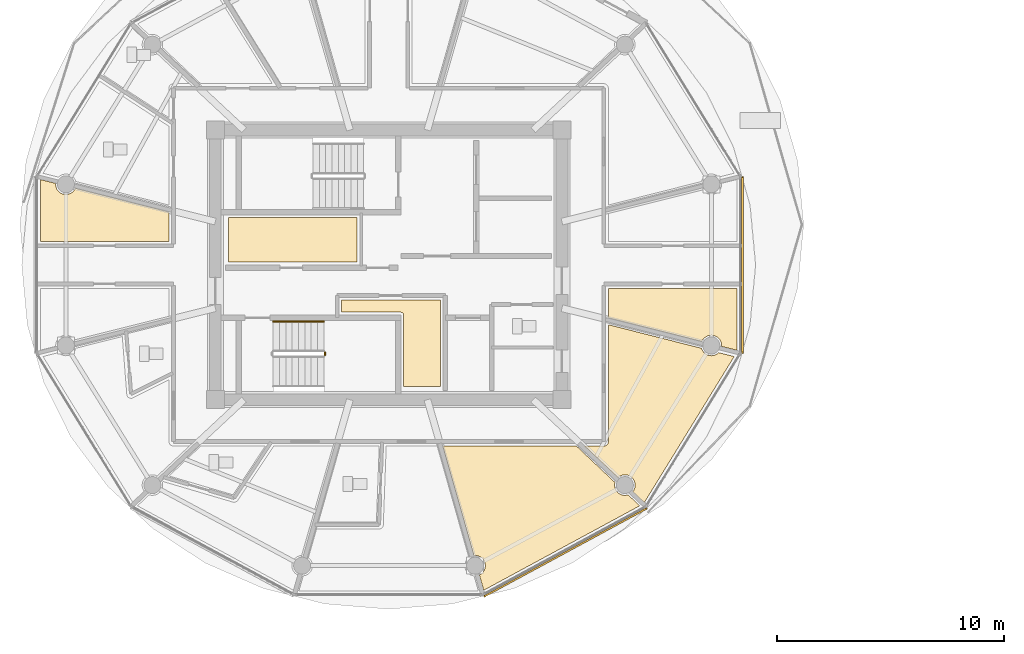
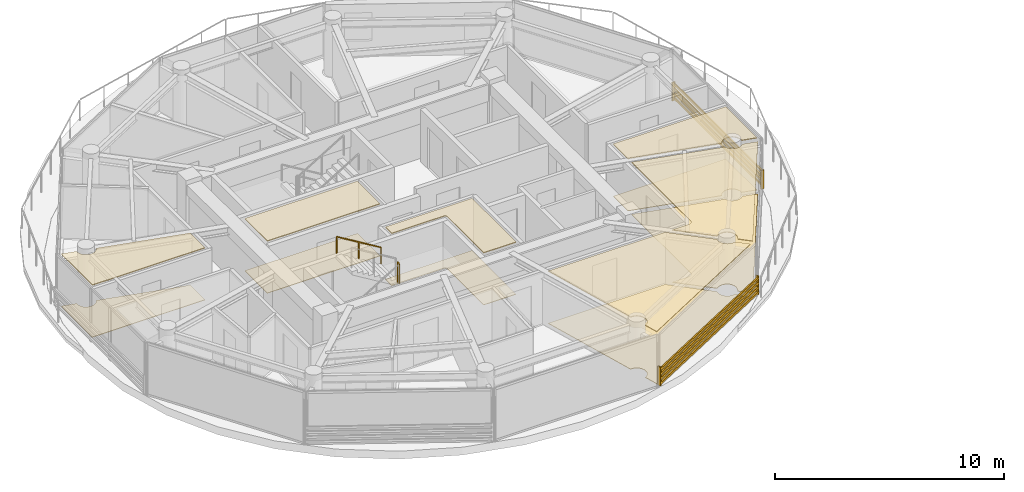
# One storey, part 18 of 28: 12 coverings, 2 railings, 2 shading devices.
"""IFC4 building model written with IfcOpenShell, lengths in metres."""

from ifc_helpers import new_model, si_unit, direction, frame, origin, origin_2d, place, context, subcontext, project, spatial, polyline, rectangle, outline, extrude, source, transform, mapped, material, layer, layer_set, type_object, type_shapes, element, save


model = new_model("IFC4")

# Units and contexts
model_context = context("Model", 3, precision=1e-05, world=origin(), true_north=direction((0.0, 1.0)))
body_context = subcontext(model_context, "Body", "Model", "MODEL_VIEW")
ifc_project = project(units=[si_unit("LENGTHUNIT", "METRE"), si_unit("AREAUNIT", "SQUARE_METRE"), si_unit("VOLUMEUNIT", "CUBIC_METRE"), si_unit("PLANEANGLEUNIT", "RADIAN"), si_unit("MASSUNIT", "GRAM", prefix="KILO")], contexts=[model_context])

# Site, building, storey
site_placement = place(None, origin())
site = spatial("IfcSite", under=ifc_project, at=site_placement, CompositionType="ELEMENT")
building_placement = place(site_placement, origin())
building = spatial("IfcBuilding", under=site, at=building_placement, Name="Norrkilde Senior Care Towers", CompositionType="ELEMENT")
storey_placement = place(building_placement, frame((0.0, 0.0, 190.64990234375)))
storey = spatial("IfcBuildingStorey", under=building, at=storey_placement, Name="L59", CompositionType="ELEMENT", Elevation=190.64990234375)

# Coverings
ifc_material_1 = material(Name="Nordic Ash Timber", Category="wood")
ifc_layer_1 = layer(ifc_material_1, 0.044921875)
ifc_layer_set_1 = layer_set([ifc_layer_1], Name="Nordic Ash Timber")
covering_type_1 = type_object("IfcCoveringType", Name="Acoustic Ash Timber Slatted Ceiling 45", PredefinedType="CEILING", material=ifc_layer_set_1)
covering_1_placement = place(storey_placement, frame((0.0, 0.0, 2.76513671875)))
element("IfcCovering", 1, at=covering_1_placement, inside=storey, type_object=covering_type_1, Name="L59 Suspended Ceiling 0333", PredefinedType="CEILING", context=body_context, shape_type="SweptSolid", body=[
    extrude(outline(polyline([(-29.39990234375, 0.1201171875), (-35.080078125, 0.1201171875), (-35.080078125, 2.090087890625), (-29.39990234375, 2.090087890625), (-29.39990234375, 0.1201171875)])), origin(), (0.0, 0.0, 1.0), 0.044921875),
])
covering_2_placement = place(storey_placement, frame((0.0, 0.0, 2.76513671875)))
element("IfcCovering", 2, at=covering_2_placement, inside=storey, type_object=covering_type_1, Name="L59 Suspended Ceiling 0334", PredefinedType="CEILING", context=body_context, shape_type="SweptSolid", body=[
    extrude(outline(polyline([(-27.34521484375, -2.175048828125), (-27.34912109375, -2.1640625), (-27.354248046875, -2.1533203125), (-27.360107421875, -2.143310546875), (-27.3671875, -2.1337890625), (-27.375244140625, -2.125244140625), (-27.3837890625, -2.1171875), (-27.393310546875, -2.110107421875), (-27.4033203125, -2.104248046875), (-27.4140625, -2.09912109375), (-27.425048828125, -2.09521484375), (-27.4365234375, -2.09228515625), (-27.4482421875, -2.090576171875), (-27.4599609375, -2.090087890625), (-30.080078125, -2.090087890625), (-30.080078125, -1.5400390625), (-25.7099609375, -1.5400390625), (-25.7099609375, -5.3798828125), (-27.340087890625, -5.3798828125), (-27.340087890625, -2.2099609375), (-27.340576171875, -2.1982421875), (-27.34228515625, -2.1865234375), (-27.34521484375, -2.175048828125)])), origin(), (0.0, 0.0, 1.0), 0.044921875),
])
covering_3_placement = place(storey_placement, frame((0.0, 0.0, 2.76513671875)))
element("IfcCovering", 3, at=covering_3_placement, inside=storey, type_object=covering_type_1, Name="L59 Suspended Ceiling 0336", PredefinedType="CEILING", context=body_context, shape_type="SweptSolid", body=[
    extrude(outline(polyline([(-37.699951171875, 1.0400390625), (-43.37353515625, 1.0400390625), (-43.37353515625, 3.76708984375), (-42.697509765625, 3.59619140625), (-42.702392578125, 3.558837890625), (-42.68701171875, 3.44091796875), (-42.641357421875, 3.331298828125), (-42.569091796875, 3.237060546875), (-42.474853515625, 3.164794921875), (-42.365234375, 3.119384765625), (-42.247314453125, 3.103759765625), (-42.129638671875, 3.119384765625), (-42.02001953125, 3.164794921875), (-41.92578125, 3.237060546875), (-41.853271484375, 3.331298828125), (-41.834228515625, 3.377685546875), (-37.699951171875, 2.331298828125), (-37.699951171875, 1.0400390625)])), origin(), (0.0, 0.0, 1.0), 0.044921875),
])
covering_4_placement = place(storey_placement, frame((0.0, 0.0, 2.76513671875)))
element("IfcCovering", 4, at=covering_4_placement, inside=storey, type_object=covering_type_1, Name="L59 Suspended Ceiling 0339", PredefinedType="CEILING", context=body_context, shape_type="SweptSolid", body=[
    extrude(outline(polyline([(-12.62646484375, -3.76708984375), (-13.302490234375, -3.59619140625), (-13.297607421875, -3.558837890625), (-13.31298828125, -3.44091796875), (-13.358642578125, -3.331298828125), (-13.430908203125, -3.237060546875), (-13.525146484375, -3.164794921875), (-13.634765625, -3.119384765625), (-13.752685546875, -3.103759765625), (-13.870361328125, -3.119384765625), (-13.97998046875, -3.164794921875), (-14.07421875, -3.237060546875), (-14.146728515625, -3.331298828125), (-14.165771484375, -3.377685546875), (-18.300048828125, -2.331298828125), (-18.300048828125, -1.0400390625), (-12.62646484375, -1.0400390625), (-12.62646484375, -3.76708984375)])), origin(), (0.0, 0.0, 1.0), 0.044921875),
])
covering_5_placement = place(storey_placement, frame((0.0, 0.0, 2.76513671875)))
element("IfcCovering", 5, at=covering_5_placement, inside=storey, type_object=covering_type_1, Name="L59 Suspended Ceiling 0352", PredefinedType="CEILING", context=body_context, shape_type="SweptSolid", body=[
    extrude(outline(polyline([(-23.80029296875, -14.364990234375), (-23.991455078125, -13.690673828125), (-23.954833984375, -13.675537109375), (-23.860595703125, -13.603271484375), (-23.788330078125, -13.509033203125), (-23.742919921875, -13.399169921875), (-23.7275390625, -13.281494140625), (-23.742919921875, -13.163818359375), (-23.788330078125, -13.053955078125), (-23.860595703125, -12.959716796875), (-23.954833984375, -12.887451171875), (-24.064697265625, -12.842041015625), (-24.182373046875, -12.826416015625), (-24.23486328125, -12.833251953125), (-25.60595703125, -8.0), (-19.705322265625, -8.0), (-18.0087890625, -9.6025390625), (-18.009765625, -9.60498046875), (-18.025146484375, -9.72265625), (-18.009765625, -9.840576171875), (-17.964111328125, -9.9501953125), (-17.891845703125, -10.04443359375), (-17.797607421875, -10.11669921875), (-17.68798828125, -10.162109375), (-17.570068359375, -10.177734375), (-17.452392578125, -10.162109375), (-17.42724609375, -10.15185546875), (-16.91357421875, -10.636962890625), (-23.80029296875, -14.364990234375)])), origin(), (0.0, 0.0, 1.0), 0.044921875),
])
covering_6_placement = place(storey_placement, frame((0.0, 0.0, 2.76513671875)))
element("IfcCovering", 6, at=covering_6_placement, inside=storey, type_object=covering_type_1, Name="L59 Suspended Ceiling 0353", PredefinedType="CEILING", context=body_context, shape_type="SweptSolid", body=[
    extrude(outline(polyline([(-18.447509765625, -7.992919921875), (-18.436279296875, -7.989501953125), (-18.428955078125, -7.98681640625), (-18.41796875, -7.982421875), (-18.410888671875, -7.97900390625), (-18.400634765625, -7.973388671875), (-18.393798828125, -7.969482421875), (-18.384033203125, -7.962890625), (-18.377685546875, -7.958251953125), (-18.36865234375, -7.95068359375), (-18.36279296875, -7.945556640625), (-18.3544921875, -7.937255859375), (-18.34912109375, -7.931396484375), (-18.341796875, -7.92236328125), (-18.337158203125, -7.916015625), (-18.33056640625, -7.90625), (-18.326416015625, -7.8994140625), (-18.321044921875, -7.888916015625), (-18.317626953125, -7.8818359375), (-18.31298828125, -7.87109375), (-18.310546875, -7.86376953125), (-18.30712890625, -7.852294921875), (-18.30517578125, -7.8447265625), (-18.302734375, -7.833251953125), (-18.3017578125, -7.825439453125), (-18.300537109375, -7.813720703125), (-18.300048828125, -7.805908203125), (-18.300048828125, -7.800048828125), (-18.300048828125, -2.640625), (-14.190185546875, -3.680908203125), (-14.146728515625, -3.786376953125), (-14.07421875, -3.880615234375), (-13.97998046875, -3.952880859375), (-13.870361328125, -3.998291015625), (-13.752685546875, -4.013671875), (-13.634765625, -3.998291015625), (-13.525146484375, -3.952880859375), (-13.430908203125, -3.880615234375), (-13.426025390625, -3.874267578125), (-12.74267578125, -4.04736328125), (-16.71337890625, -10.495849609375), (-17.224365234375, -10.01318359375), (-17.176025390625, -9.9501953125), (-17.130615234375, -9.840576171875), (-17.115234375, -9.72265625), (-17.130615234375, -9.60498046875), (-17.176025390625, -9.4951171875), (-17.24853515625, -9.40087890625), (-17.3427734375, -9.32861328125), (-17.452392578125, -9.283203125), (-17.570068359375, -9.267822265625), (-17.68798828125, -9.283203125), (-17.797607421875, -9.32861328125), (-17.88134765625, -9.392822265625), (-19.355712890625, -8.0), (-18.5, -8.0), (-18.494140625, -7.999755859375), (-18.486328125, -7.99951171875), (-18.474609375, -7.998291015625), (-18.466796875, -7.9970703125), (-18.455322265625, -7.994873046875), (-18.447509765625, -7.992919921875)])), origin(), (0.0, 0.0, 1.0), 0.044921875),
])
ifc_material_2 = material(Name="Slip-Resistant Porcelain Stone", Category="masonry")
ifc_layer_2 = layer(ifc_material_2, 0.02490234375)
ifc_layer_set_2 = layer_set([ifc_layer_2], Name="Slip-Resistant Porcelain Stone")
covering_type_2 = type_object("IfcCoveringType", Name="Slip-Resistant Porcelain Flooring 25", PredefinedType="FLOORING", material=ifc_layer_set_2)
covering_7_placement = place(storey_placement, origin())
element("IfcCovering", 7, at=covering_7_placement, inside=storey, type_object=covering_type_2, Name="L59 Floor Finish 0333", PredefinedType="FLOORING", context=body_context, shape_type="SweptSolid", body=[
    extrude(outline(polyline([(-29.39990234375, 0.1201171875), (-35.080078125, 0.1201171875), (-35.080078125, 2.090087890625), (-29.39990234375, 2.090087890625), (-29.39990234375, 0.1201171875)])), origin(), (0.0, 0.0, 1.0), 0.025146484375),
])
covering_8_placement = place(storey_placement, origin())
element("IfcCovering", 8, at=covering_8_placement, inside=storey, type_object=covering_type_2, Name="L59 Floor Finish 0334", PredefinedType="FLOORING", context=body_context, shape_type="SweptSolid", body=[
    extrude(outline(polyline([(-27.34521484375, -2.175048828125), (-27.34912109375, -2.1640625), (-27.354248046875, -2.1533203125), (-27.360107421875, -2.143310546875), (-27.3671875, -2.1337890625), (-27.375244140625, -2.125244140625), (-27.3837890625, -2.1171875), (-27.393310546875, -2.110107421875), (-27.4033203125, -2.104248046875), (-27.4140625, -2.09912109375), (-27.425048828125, -2.09521484375), (-27.4365234375, -2.09228515625), (-27.4482421875, -2.090576171875), (-27.4599609375, -2.090087890625), (-30.080078125, -2.090087890625), (-30.080078125, -1.5400390625), (-25.7099609375, -1.5400390625), (-25.7099609375, -5.3798828125), (-27.340087890625, -5.3798828125), (-27.340087890625, -2.2099609375), (-27.340576171875, -2.1982421875), (-27.34228515625, -2.1865234375), (-27.34521484375, -2.175048828125)])), origin(), (0.0, 0.0, 1.0), 0.025146484375),
])
covering_9_placement = place(storey_placement, origin())
element("IfcCovering", 9, at=covering_9_placement, inside=storey, type_object=covering_type_2, Name="L59 Floor Finish 0336", PredefinedType="FLOORING", context=body_context, shape_type="SweptSolid", body=[
    extrude(outline(polyline([(-37.699951171875, 1.0400390625), (-43.37353515625, 1.0400390625), (-43.37353515625, 3.76708984375), (-42.697509765625, 3.59619140625), (-42.702392578125, 3.558837890625), (-42.68701171875, 3.44091796875), (-42.641357421875, 3.331298828125), (-42.569091796875, 3.237060546875), (-42.474853515625, 3.164794921875), (-42.365234375, 3.119384765625), (-42.247314453125, 3.103759765625), (-42.129638671875, 3.119384765625), (-42.02001953125, 3.164794921875), (-41.92578125, 3.237060546875), (-41.853271484375, 3.331298828125), (-41.834228515625, 3.377685546875), (-37.699951171875, 2.331298828125), (-37.699951171875, 1.0400390625)])), origin(), (0.0, 0.0, 1.0), 0.025146484375),
])
covering_10_placement = place(storey_placement, origin())
element("IfcCovering", 10, at=covering_10_placement, inside=storey, type_object=covering_type_2, Name="L59 Floor Finish 0339", PredefinedType="FLOORING", context=body_context, shape_type="SweptSolid", body=[
    extrude(outline(polyline([(-12.62646484375, -3.76708984375), (-13.302490234375, -3.59619140625), (-13.297607421875, -3.558837890625), (-13.31298828125, -3.44091796875), (-13.358642578125, -3.331298828125), (-13.430908203125, -3.237060546875), (-13.525146484375, -3.164794921875), (-13.634765625, -3.119384765625), (-13.752685546875, -3.103759765625), (-13.870361328125, -3.119384765625), (-13.97998046875, -3.164794921875), (-14.07421875, -3.237060546875), (-14.146728515625, -3.331298828125), (-14.165771484375, -3.377685546875), (-18.300048828125, -2.331298828125), (-18.300048828125, -1.0400390625), (-12.62646484375, -1.0400390625), (-12.62646484375, -3.76708984375)])), origin(), (0.0, 0.0, 1.0), 0.025146484375),
])
covering_11_placement = place(storey_placement, origin())
element("IfcCovering", 11, at=covering_11_placement, inside=storey, type_object=covering_type_2, Name="L59 Floor Finish 0352", PredefinedType="FLOORING", context=body_context, shape_type="SweptSolid", body=[
    extrude(outline(polyline([(-23.80029296875, -14.364990234375), (-23.991455078125, -13.690673828125), (-23.954833984375, -13.675537109375), (-23.860595703125, -13.603271484375), (-23.788330078125, -13.509033203125), (-23.742919921875, -13.399169921875), (-23.7275390625, -13.281494140625), (-23.742919921875, -13.163818359375), (-23.788330078125, -13.053955078125), (-23.860595703125, -12.959716796875), (-23.954833984375, -12.887451171875), (-24.064697265625, -12.842041015625), (-24.182373046875, -12.826416015625), (-24.23486328125, -12.833251953125), (-25.60595703125, -8.0), (-19.705322265625, -8.0), (-18.0087890625, -9.6025390625), (-18.009765625, -9.60498046875), (-18.025146484375, -9.72265625), (-18.009765625, -9.840576171875), (-17.964111328125, -9.9501953125), (-17.891845703125, -10.04443359375), (-17.797607421875, -10.11669921875), (-17.68798828125, -10.162109375), (-17.570068359375, -10.177734375), (-17.452392578125, -10.162109375), (-17.42724609375, -10.15185546875), (-16.91357421875, -10.636962890625), (-23.80029296875, -14.364990234375)])), origin(), (0.0, 0.0, 1.0), 0.025146484375),
])
covering_12_placement = place(storey_placement, origin())
element("IfcCovering", 12, at=covering_12_placement, inside=storey, type_object=covering_type_2, Name="L59 Floor Finish 0353", PredefinedType="FLOORING", context=body_context, shape_type="SweptSolid", body=[
    extrude(outline(polyline([(-18.447509765625, -7.992919921875), (-18.436279296875, -7.989501953125), (-18.428955078125, -7.98681640625), (-18.41796875, -7.982421875), (-18.410888671875, -7.97900390625), (-18.400634765625, -7.973388671875), (-18.393798828125, -7.969482421875), (-18.384033203125, -7.962890625), (-18.377685546875, -7.958251953125), (-18.36865234375, -7.95068359375), (-18.36279296875, -7.945556640625), (-18.3544921875, -7.937255859375), (-18.34912109375, -7.931396484375), (-18.341796875, -7.92236328125), (-18.337158203125, -7.916015625), (-18.33056640625, -7.90625), (-18.326416015625, -7.8994140625), (-18.321044921875, -7.888916015625), (-18.317626953125, -7.8818359375), (-18.31298828125, -7.87109375), (-18.310546875, -7.86376953125), (-18.30712890625, -7.852294921875), (-18.30517578125, -7.8447265625), (-18.302734375, -7.833251953125), (-18.3017578125, -7.825439453125), (-18.300537109375, -7.813720703125), (-18.300048828125, -7.805908203125), (-18.300048828125, -7.800048828125), (-18.300048828125, -2.640625), (-14.190185546875, -3.680908203125), (-14.146728515625, -3.786376953125), (-14.07421875, -3.880615234375), (-13.97998046875, -3.952880859375), (-13.870361328125, -3.998291015625), (-13.752685546875, -4.013671875), (-13.634765625, -3.998291015625), (-13.525146484375, -3.952880859375), (-13.430908203125, -3.880615234375), (-13.426025390625, -3.874267578125), (-12.74267578125, -4.04736328125), (-16.71337890625, -10.495849609375), (-17.224365234375, -10.01318359375), (-17.176025390625, -9.9501953125), (-17.130615234375, -9.840576171875), (-17.115234375, -9.72265625), (-17.130615234375, -9.60498046875), (-17.176025390625, -9.4951171875), (-17.24853515625, -9.40087890625), (-17.3427734375, -9.32861328125), (-17.452392578125, -9.283203125), (-17.570068359375, -9.267822265625), (-17.68798828125, -9.283203125), (-17.797607421875, -9.32861328125), (-17.88134765625, -9.392822265625), (-19.355712890625, -8.0), (-18.5, -8.0), (-18.494140625, -7.999755859375), (-18.486328125, -7.99951171875), (-18.474609375, -7.998291015625), (-18.466796875, -7.9970703125), (-18.455322265625, -7.994873046875), (-18.447509765625, -7.992919921875)])), origin(), (0.0, 0.0, 1.0), 0.025146484375),
])

# Railings
ifc_material_3 = material(Name="Stainless Steel", Category="steel")
railing_type_1 = type_object("IfcRailingType", Name="Stair and Terrace Guardrail 1100", PredefinedType="GUARDRAIL", material=ifc_material_3)
railing_1_placement = place(storey_placement, frame((-30.81005859375, -4.0, 1.525146484375)))
element("IfcRailing", 13, at=railing_1_placement, inside=storey, type_object=railing_type_1, Name="L59 ST-W2 stair guard 2", PredefinedType="GUARDRAIL", context=body_context, shape_type="SweptSolid", body=[
    extrude(rectangle(XDim=0.048095703125, YDim=0.048095703125, at=origin_2d()), frame((0.0, 0.0, 1.076171875), z_axis=(0.0, 1.0, 0.0), x_axis=(-1.0, 0.0, 0.0)), (0.0, 0.0, 1.0), 0.14990234375),
    extrude(rectangle(XDim=0.0419921875, YDim=0.0419921875, at=origin_2d()), origin(), (0.0, 0.0, 1.0), 1.050048828125),
    extrude(rectangle(XDim=0.0419921875, YDim=0.0419921875, at=origin_2d()), frame((0.0, 0.14990234375, 0.0)), (0.0, 0.0, 1.0), 1.050048828125),
])
railing_type_2 = type_object("IfcRailingType", Name="Wall and Stair Handrail 900", PredefinedType="HANDRAIL", material=ifc_material_1)
railing_2_placement = place(storey_placement, frame((-30.860107421875, -2.5, 1.694580078125)))
element("IfcRailing", 14, at=railing_2_placement, inside=storey, type_object=railing_type_2, Name="L59 ST-W2 stair handrail 2", PredefinedType="HANDRAIL", context=body_context, shape_type="SweptSolid", body=[
    extrude(rectangle(XDim=0.048095703125, YDim=0.048095703125, at=origin_2d()), frame((0.0, 0.0, 0.8759765625), z_axis=(-0.855553338991, 0.0, 0.51771467445), x_axis=(0.0, -1.0, 0.0)), (0.0, 0.0, 1.0), 2.6181640625),
    extrude(rectangle(XDim=0.0419921875, YDim=0.0419921875, at=origin_2d()), origin(), (0.0, 0.0, 1.0), 0.849853515625),
    extrude(rectangle(XDim=0.0419921875, YDim=0.0419921875, at=origin_2d()), frame((-1.1201171875, 0.0, 0.677734375)), (0.0, 0.0, 1.0), 0.849853515625),
    extrude(rectangle(XDim=0.0419921875, YDim=0.0419921875, at=origin_2d()), frame((-2.239990234375, 0.0, 1.35546875)), (0.0, 0.0, 1.0), 0.849853515625),
])

# Shading devices
ifc_material_4 = material(Name="Architectural Terracotta", Category="masonry")
shading_device_type = type_object("IfcShadingDeviceType", Name="Horizontal Terracotta Baguette Rack", PredefinedType="USERDEFINED", material=ifc_material_4)
shared_shape_1 = source(origin(), body_context, "Body", "SweptSolid", [
    extrude(rectangle(XDim=0.070068359375, YDim=0.110107421875, at=origin_2d()), frame((0.0, 0.090087890625, 0.125), z_axis=(1.0, 0.0, 0.0), x_axis=(0.0, 1.0, 0.0)), (0.0, 0.0, 1.0), 8.197265625),
    extrude(rectangle(XDim=0.070068359375, YDim=0.110107421875, at=origin_2d()), frame((0.0, 0.090087890625, 0.375), z_axis=(1.0, 0.0, 0.0), x_axis=(0.0, 1.0, 0.0)), (0.0, 0.0, 1.0), 8.197265625),
    extrude(rectangle(XDim=0.070068359375, YDim=0.110107421875, at=origin_2d()), frame((0.0, 0.090087890625, 0.625), z_axis=(1.0, 0.0, 0.0), x_axis=(0.0, 1.0, 0.0)), (0.0, 0.0, 1.0), 8.197265625),
    extrude(rectangle(XDim=0.070068359375, YDim=0.110107421875, at=origin_2d()), frame((0.0, 0.090087890625, 0.875), z_axis=(1.0, 0.0, 0.0), x_axis=(0.0, 1.0, 0.0)), (0.0, 0.0, 1.0), 8.197265625),
    extrude(rectangle(XDim=0.050048828125, YDim=0.1552734375, at=origin_2d()), frame((0.02490234375, 0.047607421875, 0.0)), (0.0, 0.0, 1.0), 1.0),
    extrude(rectangle(XDim=0.050048828125, YDim=0.1552734375, at=origin_2d()), frame((8.17236328125, 0.047607421875, 0.0)), (0.0, 0.0, 1.0), 1.0),
])
shading_device_1_placement = place(storey_placement, frame((-16.629638671875, -10.6630859375, 0.080078125), z_axis=(0.0, 0.0, 1.0), x_axis=(-0.879378127234, -0.476143674053, 0.0)))
element("IfcShadingDevice", 15, at=shading_device_1_placement, inside=storey, type_object=shading_device_type, Name="L59 Drum W Terracotta Baguette Screen 09", ObjectType="BAGUETTE", PredefinedType="USERDEFINED", context=body_context, shape_type="MappedRepresentation", body=[
    mapped(shared_shape_1, transform((0.0, 0.0, 0.0), x_axis=(1.0, 0.0, 0.0), y_axis=(0.0, 1.0, 0.0), z_axis=(0.0, 0.0, 1.0), scale=1.0)),
])
shared_shape_2 = source(origin(), body_context, "Body", "SweptSolid", [
    extrude(rectangle(XDim=0.070068359375, YDim=0.110107421875, at=origin_2d()), frame((0.0, 0.090087890625, 0.125), z_axis=(1.0, 0.0, 0.0), x_axis=(0.0, 1.0, 0.0)), (0.0, 0.0, 1.0), 7.80615234375),
    extrude(rectangle(XDim=0.070068359375, YDim=0.110107421875, at=origin_2d()), frame((0.0, 0.090087890625, 0.375), z_axis=(1.0, 0.0, 0.0), x_axis=(0.0, 1.0, 0.0)), (0.0, 0.0, 1.0), 7.80615234375),
    extrude(rectangle(XDim=0.070068359375, YDim=0.110107421875, at=origin_2d()), frame((0.0, 0.090087890625, 0.625), z_axis=(1.0, 0.0, 0.0), x_axis=(0.0, 1.0, 0.0)), (0.0, 0.0, 1.0), 7.80615234375),
    extrude(rectangle(XDim=0.070068359375, YDim=0.110107421875, at=origin_2d()), frame((0.0, 0.090087890625, 0.875), z_axis=(1.0, 0.0, 0.0), x_axis=(0.0, 1.0, 0.0)), (0.0, 0.0, 1.0), 7.80615234375),
    extrude(rectangle(XDim=0.050048828125, YDim=0.1552734375, at=origin_2d()), frame((0.02490234375, 0.047607421875, 0.0)), (0.0, 0.0, 1.0), 1.0),
    extrude(rectangle(XDim=0.050048828125, YDim=0.1552734375, at=origin_2d()), frame((7.78125, 0.047607421875, 0.0)), (0.0, 0.0, 1.0), 1.0),
])
type_shapes(shading_device_type, [shared_shape_1, shared_shape_2])
shading_device_2_placement = place(storey_placement, frame((-12.468017578125, 3.903076171875, 0.080078125), z_axis=(0.0, 0.0, 1.0), x_axis=(0.0, -1.0, 0.0)))
element("IfcShadingDevice", 16, at=shading_device_2_placement, inside=storey, type_object=shading_device_type, Name="L59 Drum W Terracotta Baguette Screen 11", ObjectType="BAGUETTE", PredefinedType="USERDEFINED", context=body_context, shape_type="MappedRepresentation", body=[
    mapped(shared_shape_2, transform((0.0, 0.0, 0.0), x_axis=(1.0, 0.0, 0.0), y_axis=(0.0, 1.0, 0.0), z_axis=(0.0, 0.0, 1.0), scale=1.0)),
])

save(model, "model.ifc")
